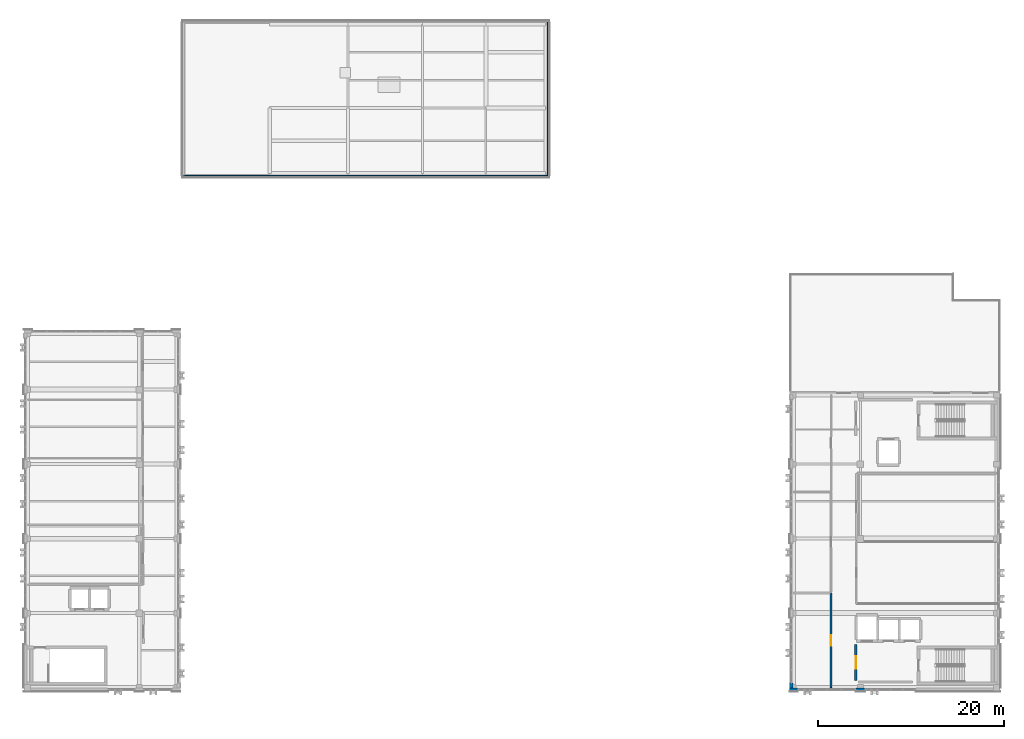
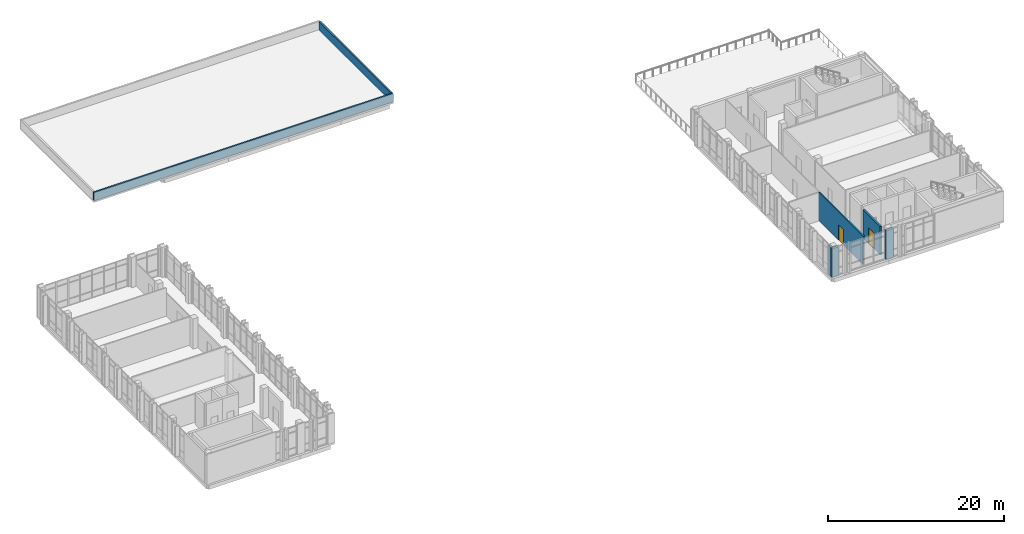
# One storey, part 37 of 48: 7 walls, 2 doors, 2 openings.
"""IFC4 building model written with IfcOpenShell, lengths in metres."""

from ifc_helpers import new_model, si_unit, direction, frame, frame_2d, origin, place, context, subcontext, project, spatial, rectangle, extrude, material, layer, layer_set, type_object, element, fill, save


model = new_model("IFC4")

# Units and contexts
model_context = context("Model", 3, precision=1e-05, world=origin(), true_north=direction((0.0, 1.0)))
body_context = subcontext(model_context, "Body", "Model", "MODEL_VIEW")
ifc_project = project(units=[si_unit("LENGTHUNIT", "METRE"), si_unit("AREAUNIT", "SQUARE_METRE"), si_unit("VOLUMEUNIT", "CUBIC_METRE"), si_unit("PLANEANGLEUNIT", "RADIAN"), si_unit("MASSUNIT", "GRAM", prefix="KILO")], contexts=[model_context])

# Site, building, storey
site_placement = place(None, origin())
site = spatial("IfcSite", under=ifc_project, at=site_placement, CompositionType="ELEMENT")
building_placement = place(site_placement, origin())
building = spatial("IfcBuilding", under=site, at=building_placement, Name="Qalavern Law Courts", CompositionType="ELEMENT")
storey_placement = place(building_placement, frame((0.0, 0.0, 31.199951171875)))
storey = spatial("IfcBuildingStorey", under=building, at=storey_placement, Name="L07", CompositionType="ELEMENT", Elevation=31.199951171875)

# Walls
ifc_material_1 = material(Name="Concrete C40/50", Category="concrete")
ifc_layer_1 = layer(ifc_material_1, 0.35498046875)
ifc_layer_set_1 = layer_set([ifc_layer_1], Name="Concrete C40/50")
wall_type_1 = type_object("IfcWallType", Name="ENV-EW-355", PredefinedType="SOLIDWALL", material=ifc_layer_set_1)
wall_1_placement = place(storey_placement, frame((84.199951171875, 41.197509765625, 0.0), z_axis=(0.0, 0.0, 1.0), x_axis=(1.0, 0.0, 0.0)))
element("IfcWall", 1, at=wall_1_placement, inside=storey, type_object=wall_type_1, Name="V4 exterior pier wall L07 south 1", PredefinedType="SOLIDWALL", context=body_context, shape_type="SweptSolid", body=[
    extrude(rectangle(XDim=0.900146484375, YDim=0.35498046875, at=frame_2d((0.4501953125, 0.0))), origin(), (0.0, 0.0, 1.0), 3.93994140625),
])
wall_2_placement = place(storey_placement, frame((91.300048828125, 41.197509765625, 0.0), z_axis=(0.0, 0.0, 1.0), x_axis=(1.0, 0.0, 0.0)))
element("IfcWall", 2, at=wall_2_placement, inside=storey, type_object=wall_type_1, Name="V4 exterior pier wall L07 south 2", PredefinedType="SOLIDWALL", context=body_context, shape_type="SweptSolid", body=[
    extrude(rectangle(XDim=1.0, YDim=0.35498046875, at=frame_2d((0.5, 0.0))), origin(), (0.0, 0.0, 1.0), 3.93994140625),
])
wall_3_placement = place(storey_placement, frame((84.37744140625, 41.919921875, 0.0), z_axis=(0.0, 0.0, 1.0), x_axis=(0.0, -1.0, 0.0)))
element("IfcWall", 3, at=wall_3_placement, inside=storey, type_object=wall_type_1, Name="V4 exterior pier wall L07 west 5", PredefinedType="SOLIDWALL", context=body_context, shape_type="SweptSolid", body=[
    extrude(rectangle(XDim=0.5498046875, YDim=0.35498046875, at=frame_2d((0.27490234375, 0.0))), origin(), (0.0, 0.0, 1.0), 3.93994140625),
])
ifc_layer_2 = layer(ifc_material_1, 0.205078125)
ifc_layer_set_2 = layer_set([ifc_layer_2], Name="Concrete C40/50")
wall_type_2 = type_object("IfcWallType", Name="ENV-PAR-205", PredefinedType="PARAPET", material=ifc_layer_set_2)
wall_4_placement = place(storey_placement, frame((19.02001953125, 96.302490234375, 0.0), z_axis=(0.0, 0.0, 1.0), x_axis=(1.0, 0.0, 0.0)))
element("IfcWall", 4, at=wall_4_placement, inside=storey, type_object=wall_type_2, Name="V5 roof parapet L07 S", PredefinedType="PARAPET", context=body_context, shape_type="SweptSolid", body=[
    extrude(rectangle(XDim=39.3798828125, YDim=0.205078125, at=frame_2d((19.68994140625, 0.0))), origin(), (0.0, 0.0, 1.0), 1.150146484375),
])
wall_5_placement = place(storey_placement, frame((58.297607421875, 96.405029296875, 0.0), z_axis=(0.0, 0.0, 1.0), x_axis=(0.0, 1.0, 0.0)))
element("IfcWall", 5, at=wall_5_placement, inside=storey, type_object=wall_type_2, Name="V5 roof parapet L07 E", PredefinedType="PARAPET", context=body_context, shape_type="SweptSolid", body=[
    extrude(rectangle(XDim=16.389892578125, YDim=0.205078125, at=frame_2d((8.19482421875, 0.0))), origin(), (0.0, 0.0, 1.0), 1.150146484375),
])

# Wall, opening, door
ifc_layer_3 = layer(ifc_material_1, 0.2451171875)
ifc_layer_set_3 = layer_set([ifc_layer_3], Name="Concrete C40/50")
wall_type_3 = type_object("IfcWallType", Name="INT-FW-245", PredefinedType="PARTITIONING", material=ifc_layer_set_3)
wall_6_placement = place(storey_placement, frame((91.300048828125, 42.14990234375, 0.0), z_axis=(0.0, 0.0, 1.0), x_axis=(0.0, 1.0, 0.0)))
wall_6 = element("IfcWall", 6, at=wall_6_placement, inside=storey, type_object=wall_type_3, Name="Core K1A firefighting/stair lobby fire wall L07", PredefinedType="PARTITIONING", context=body_context, shape_type="SweptSolid", body=[
    extrude(rectangle(XDim=3.900146484375, YDim=0.2451171875, at=frame_2d((1.9501953125, 0.0))), origin(), (0.0, 0.0, 1.0), 3.93994140625),
])
opening_1_placement = place(wall_6_placement, frame((1.27490234375, 0.0, 0.0)))
opening_1 = element("IfcOpeningElement", 7, at=opening_1_placement, cuts=wall_6, Name="Opening L07-D020", PredefinedType="OPENING", context=body_context, shape_type="SweptSolid", body=[
    extrude(rectangle(XDim=1.35009765625, YDim=2.199951171875, at=frame_2d((0.675048828125, 1.10009765625))), frame((0.0, 0.137451171875, 0.0), z_axis=(0.0, -1.0, 0.0), x_axis=(1.0, 0.0, 0.0)), (0.0, 0.0, 1.0), 0.27490234375),
])
ifc_material_2 = material(Name="Steel fire-rated frame and acoustic timber leaves", Category="steel")
door_type_1 = type_object("IfcDoorType", Name="INT-FD-1350x2200", OperationType="DOUBLE_DOOR_SINGLE_SWING", PredefinedType="DOOR", material=ifc_material_2)
door_1_placement = place(opening_1_placement, origin())
door_1 = element("IfcDoor", 8, at=door_1_placement, inside=storey, type_object=door_type_1, Name="Core K1A lobby fire door L07", OperationType="DOUBLE_DOOR_SINGLE_SWING", OverallHeight=2.199951171875, OverallWidth=1.35009765625, PredefinedType="DOOR", context=body_context, shape_type="SweptSolid", body=[
    extrude(rectangle(XDim=1.35009765625, YDim=2.199951171875, at=frame_2d((0.675048828125, 1.10009765625))), frame((0.0, 0.02490234375, 0.0), z_axis=(0.0, -1.0, 0.0), x_axis=(1.0, 0.0, 0.0)), (0.0, 0.0, 1.0), 0.050048828125),
])
fill(opening_1, door_1)

ifc_material_3 = material(Name="Gypsum acoustic stud partition")
ifc_layer_4 = layer(ifc_material_3, 0.174072265625)
ifc_layer_set_4 = layer_set([ifc_layer_4], Name="Gypsum acoustic stud partition")
wall_type_4 = type_object("IfcWallType", Name="INT-PW-174", PredefinedType="PARTITIONING", material=ifc_layer_set_4)
wall_7_placement = place(storey_placement, frame((88.639892578125, 41.39990234375, 0.0), z_axis=(0.0, 0.0, 1.0), x_axis=(0.0, 1.0, 0.0)))
wall_7 = element("IfcWall", 9, at=wall_7_placement, inside=storey, type_object=wall_type_4, Name="Appellate Courtroom corridor partition L07", PredefinedType="PARTITIONING", context=body_context, shape_type="SweptSolid", body=[
    extrude(rectangle(XDim=10.158203125, YDim=0.174072265625, at=frame_2d((5.0791015625, 0.0))), origin(), (0.0, 0.0, 1.0), 3.93994140625),
])
opening_2_placement = place(wall_7_placement, frame((4.50390625, 0.0, 0.0)))
opening_2 = element("IfcOpeningElement", 10, at=opening_2_placement, cuts=wall_7, Name="Opening L07-D310", PredefinedType="OPENING", context=body_context, shape_type="SweptSolid", body=[
    extrude(rectangle(XDim=1.14990234375, YDim=2.14990234375, at=frame_2d((0.574951171875, 1.074951171875))), frame((0.0, 0.10205078125, 0.0), z_axis=(0.0, -1.0, 0.0), x_axis=(1.0, 0.0, 0.0)), (0.0, 0.0, 1.0), 0.203857421875),
])
ifc_material_4 = material(Name="Acoustic oak Witness Waiting door")
door_type_2 = type_object("IfcDoorType", Name="INT-ID-1150x2150", OperationType="NOTDEFINED", PredefinedType="DOOR", material=ifc_material_4)
door_2_placement = place(opening_2_placement, frame((1.14990234375, 0.0, 0.0), z_axis=(0.0, 0.0, 1.0), x_axis=(-1.0, 0.0, 0.0)))
door_2 = element("IfcDoor", 11, at=door_2_placement, inside=storey, type_object=door_type_2, Name="Appellate Courtroom door L07", OperationType="SINGLE_SWING_LEFT", OverallHeight=2.14990234375, OverallWidth=1.14990234375, PredefinedType="DOOR", context=body_context, shape_type="SweptSolid", body=[
    extrude(rectangle(XDim=1.14990234375, YDim=2.14990234375, at=frame_2d((0.574951171875, 1.074951171875))), frame((0.0, 0.02490234375, 0.0), z_axis=(0.0, -1.0, 0.0), x_axis=(1.0, 0.0, 0.0)), (0.0, 0.0, 1.0), 0.050048828125),
])
fill(opening_2, door_2)

save(model, "model.ifc")
